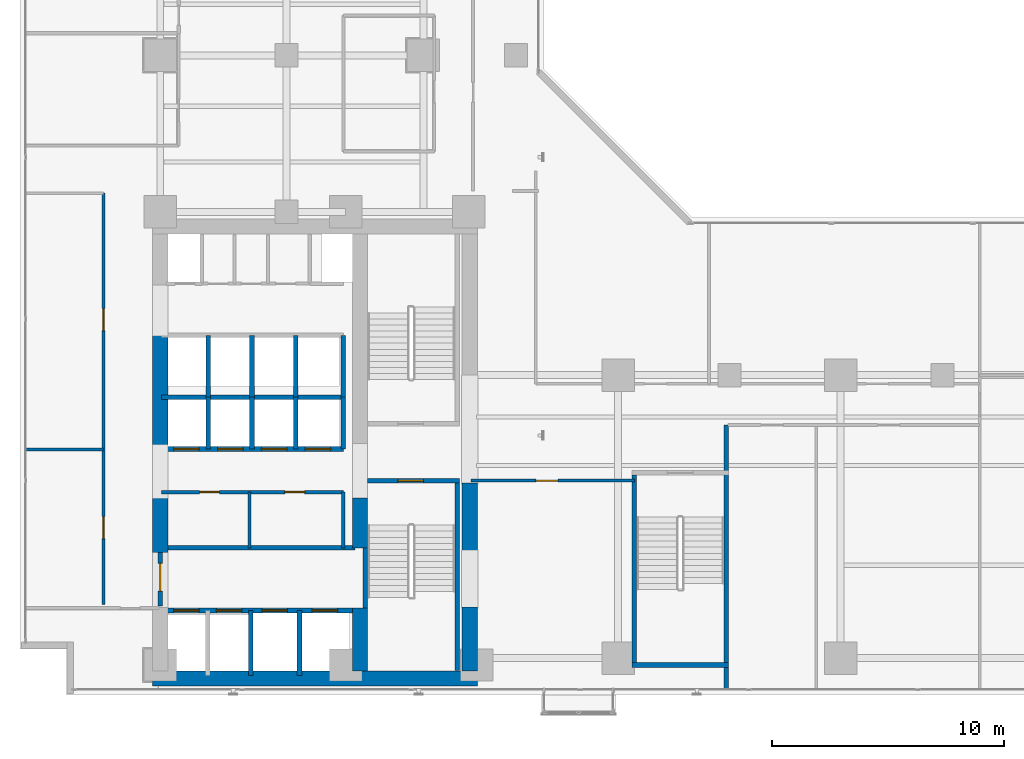
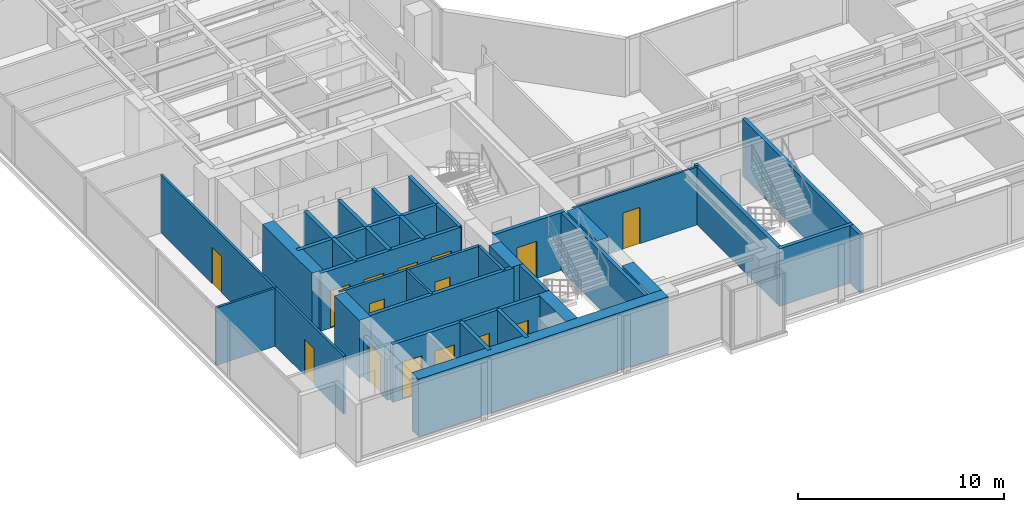
# One storey, part 19 of 25: 34 walls, 15 doors, 15 openings.
"""IFC4 building model written with IfcOpenShell, lengths in metres."""

from ifc_helpers import new_model, si_unit, direction, frame, frame_2d, origin, place, context, subcontext, project, spatial, rectangle, extrude, material, layer, layer_set, type_object, element, fill, save


model = new_model("IFC4")

# Units and contexts
model_context = context("Model", 3, precision=1e-05, world=origin(), true_north=direction((0.0, 1.0)))
body_context = subcontext(model_context, "Body", "Model", "MODEL_VIEW")
ifc_project = project(units=[si_unit("LENGTHUNIT", "METRE"), si_unit("AREAUNIT", "SQUARE_METRE"), si_unit("VOLUMEUNIT", "CUBIC_METRE"), si_unit("PLANEANGLEUNIT", "RADIAN"), si_unit("MASSUNIT", "GRAM", prefix="KILO")], contexts=[model_context])

# Site, building, storey
site_placement = place(None, origin())
site = spatial("IfcSite", under=ifc_project, at=site_placement, CompositionType="ELEMENT")
building_placement = place(site_placement, origin())
building = spatial("IfcBuilding", under=site, at=building_placement, Name="Kolvaren Waterfront Exchange", CompositionType="ELEMENT")
storey_placement = place(building_placement, frame((0.0, 0.0, 137.300048828125)))
storey = spatial("IfcBuildingStorey", under=building, at=storey_placement, Name="L35", CompositionType="ELEMENT", Elevation=137.300048828125)

# Wall, opening, door
ifc_material_1 = material(Name="Precast concrete C40/50", Category="concrete")
ifc_layer_1 = layer(ifc_material_1, 0.199951171875, Name="Precast concrete C40/50")
ifc_layer_set_1 = layer_set([ifc_layer_1], Name="Precast concrete C40/50")
wall_type_1 = type_object("IfcWallType", Name="ARC-FIRE-200", PredefinedType="PARTITIONING", material=ifc_layer_set_1)
wall_1_placement = place(storey_placement, frame((16.39990234375, 12.85009765625, 0.0), z_axis=(0.0, 0.0, 1.0), x_axis=(1.0, 0.0, 0.0)))
wall_1 = element("IfcWall", 1, at=wall_1_placement, inside=storey, type_object=wall_type_1, Name="L35 interior wall PW-L35-ST1-THROAT-S", PredefinedType="PARTITIONING", context=body_context, shape_type="SweptSolid", body=[
    extrude(rectangle(XDim=3.960205078125, YDim=0.199951171875, at=frame_2d((1.97998046875, 0.0))), origin(), (0.0, 0.0, 1.0), 3.419921875),
])
opening_1_placement = place(wall_1_placement, frame((1.3037109375, 0.0, 0.0)))
opening_1 = element("IfcOpeningElement", 2, at=opening_1_placement, cuts=wall_1, Name="Opening FD2", PredefinedType="OPENING", context=body_context, shape_type="SweptSolid", body=[
    extrude(rectangle(XDim=1.10009765625, YDim=2.199951171875, at=frame_2d((0.550048828125, 1.10009765625))), frame((0.0, 0.10986328125, 0.0), z_axis=(0.0, -1.0, 0.0), x_axis=(1.0, 0.0, 0.0)), (0.0, 0.0, 1.0), 0.219970703125),
])
ifc_material_2 = material(Name="Pressed steel smoke-seal fire door", Category="steel")
door_type_1 = type_object("IfcDoorType", Name="ARC-FD-1100", OperationType="NOTDEFINED", PredefinedType="DOOR", material=ifc_material_2)
door_1_placement = place(opening_1_placement, frame((1.10009765625, 0.0, 0.0), z_axis=(0.0, 0.0, 1.0), x_axis=(-1.0, 0.0, 0.0)))
door_1 = element("IfcDoor", 3, at=door_1_placement, inside=storey, type_object=door_type_1, Name="L35 door DR-L35-ST1-IN (FD2)", OperationType="SINGLE_SWING_LEFT", OverallHeight=2.199951171875, OverallWidth=1.10009765625, PredefinedType="DOOR", context=body_context, shape_type="SweptSolid", body=[
    extrude(rectangle(XDim=1.10009765625, YDim=2.199951171875, at=frame_2d((0.550048828125, 1.10009765625))), frame((0.0, 0.02490234375, 0.0), z_axis=(0.0, -1.0, 0.0), x_axis=(1.0, 0.0, 0.0)), (0.0, 0.0, 1.0), 0.050048828125),
])
fill(opening_1, door_1)

# Wall
wall_2_placement = place(storey_placement, frame((7.5, 9.949951171875, 0.0), z_axis=(0.0, 0.0, 1.0), x_axis=(1.0, 0.0, 0.0)))
element("IfcWall", 4, at=wall_2_placement, inside=storey, type_object=wall_type_1, Name="L35 interior wall PW-L35-FF-N", PredefinedType="PARTITIONING", context=body_context, shape_type="SweptSolid", body=[
    extrude(rectangle(XDim=8.35009765625, YDim=0.199951171875, at=frame_2d((4.175048828125, 0.0))), origin(), (0.0, 0.0, 1.0), 3.419921875),
])

# Wall, opening, door
wall_3_placement = place(storey_placement, frame((7.449951171875, 7.449951171875, 0.0), z_axis=(0.0, 0.0, 1.0), x_axis=(0.0, 1.0, 0.0)))
wall_3 = element("IfcWall", 5, at=wall_3_placement, inside=storey, type_object=wall_type_1, Name="L35 interior wall PW-L35-FF-W-DOOR", PredefinedType="PARTITIONING", context=body_context, shape_type="SweptSolid", body=[
    extrude(rectangle(XDim=2.300048828125, YDim=0.199951171875, at=frame_2d((1.14990234375, 0.0))), origin(), (0.0, 0.0, 1.0), 2.39990234375),
])
opening_2_placement = place(wall_3_placement, frame((0.63330078125, 0.0, 0.0)))
opening_2 = element("IfcOpeningElement", 6, at=opening_2_placement, cuts=wall_3, Name="Opening FD3", PredefinedType="OPENING", context=body_context, shape_type="SweptSolid", body=[
    extrude(rectangle(XDim=1.199951171875, YDim=2.25, at=frame_2d((0.60009765625, 1.125))), frame((0.0, 0.10986328125, 0.0), z_axis=(0.0, -1.0, 0.0), x_axis=(1.0, 0.0, 0.0)), (0.0, 0.0, 1.0), 0.219970703125),
])
ifc_material_3 = material(Name="Pressed steel fire door", Category="steel")
door_type_2 = type_object("IfcDoorType", Name="ARC-FD-1200", OperationType="NOTDEFINED", PredefinedType="DOOR", material=ifc_material_3)
door_2_placement = place(opening_2_placement, frame((1.199951171875, 0.0, 0.0), z_axis=(0.0, 0.0, 1.0), x_axis=(-1.0, 0.0, 0.0)))
door_2 = element("IfcDoor", 7, at=door_2_placement, inside=storey, type_object=door_type_2, Name="L35 door DR-L35-FF-OUT (FD3)", OperationType="SINGLE_SWING_RIGHT", OverallHeight=2.25, OverallWidth=1.199951171875, PredefinedType="DOOR", context=body_context, shape_type="SweptSolid", body=[
    extrude(rectangle(XDim=1.199951171875, YDim=2.25, at=frame_2d((0.60009765625, 1.125))), frame((0.0, 0.02490234375, 0.0), z_axis=(0.0, -1.0, 0.0), x_axis=(1.0, 0.0, 0.0)), (0.0, 0.0, 1.0), 0.050048828125),
])
fill(opening_2, door_2)

# Wall
ifc_material_4 = material(Name="Acoustic gypsum steel stud", Category="steel")
ifc_layer_2 = layer(ifc_material_4, 0.125, Name="Acoustic gypsum steel stud")
ifc_layer_set_2 = layer_set([ifc_layer_2], Name="Acoustic gypsum steel stud")
wall_type_2 = type_object("IfcWallType", Name="ARC-PART-125", PredefinedType="PARTITIONING", material=ifc_layer_set_2)
wall_4_placement = place(storey_placement, frame((11.300048828125, 9.949951171875, 0.0), z_axis=(0.0, 0.0, 1.0), x_axis=(0.0, 1.0, 0.0)))
element("IfcWall", 8, at=wall_4_placement, inside=storey, type_object=wall_type_2, Name="L35 interior wall PW-L35-REC-PL-MID", PredefinedType="PARTITIONING", context=body_context, shape_type="SweptSolid", body=[
    extrude(rectangle(XDim=2.41015625, YDim=0.125, at=frame_2d((1.205078125, 0.0))), origin(), (0.0, 0.0, 1.0), 3.419921875),
])

# Wall, openings, doors
wall_5_placement = place(storey_placement, frame((5.0, 7.5, 0.0), z_axis=(0.0, 0.0, 1.0), x_axis=(0.0, 1.0, 0.0)))
wall_5 = element("IfcWall", 9, at=wall_5_placement, inside=storey, type_object=wall_type_2, Name="L35 interior wall PW-L35-WFLANK-E", PredefinedType="PARTITIONING", context=body_context, shape_type="SweptSolid", body=[
    extrude(rectangle(XDim=17.75, YDim=0.125, at=frame_2d((8.875, 0.0))), origin(), (0.0, 0.0, 1.0), 3.419921875),
])
opening_3_placement = place(wall_5_placement, frame((2.85009765625, 0.0, 0.0)))
opening_3 = element("IfcOpeningElement", 10, at=opening_3_placement, cuts=wall_5, Name="Opening D02", PredefinedType="OPENING", context=body_context, shape_type="SweptSolid", body=[
    extrude(rectangle(XDim=0.949951171875, YDim=2.14990234375, at=frame_2d((0.47509765625, 1.074951171875))), frame((0.0, 0.072509765625, 0.0), z_axis=(0.0, -1.0, 0.0), x_axis=(1.0, 0.0, 0.0)), (0.0, 0.0, 1.0), 0.14501953125),
])
opening_4_placement = place(wall_5_placement, frame((11.82080078125, 0.0, 0.0)))
opening_4 = element("IfcOpeningElement", 11, at=opening_4_placement, cuts=wall_5, Name="Opening D02", PredefinedType="OPENING", context=body_context, shape_type="SweptSolid", body=[
    extrude(rectangle(XDim=0.949951171875, YDim=2.14990234375, at=frame_2d((0.47509765625, 1.074951171875))), frame((0.0, 0.072509765625, 0.0), z_axis=(0.0, -1.0, 0.0), x_axis=(1.0, 0.0, 0.0)), (0.0, 0.0, 1.0), 0.14501953125),
])
ifc_material_5 = material(Name="Oak veneer acoustic timber", Category="wood")
door_type_3 = type_object("IfcDoorType", Name="ARC-DR-950", OperationType="NOTDEFINED", PredefinedType="DOOR", material=ifc_material_5)
door_3_placement = place(opening_3_placement, origin())
door_3 = element("IfcDoor", 12, at=door_3_placement, inside=storey, type_object=door_type_3, Name="L35 door DR-L35-WFL1-D (D02)", OperationType="SINGLE_SWING_LEFT", OverallHeight=2.14990234375, OverallWidth=0.949951171875, PredefinedType="DOOR", context=body_context, shape_type="SweptSolid", body=[
    extrude(rectangle(XDim=0.949951171875, YDim=2.14990234375, at=frame_2d((0.47509765625, 1.074951171875))), frame((0.0, 0.02490234375, 0.0), z_axis=(0.0, -1.0, 0.0), x_axis=(1.0, 0.0, 0.0)), (0.0, 0.0, 1.0), 0.050048828125),
])
fill(opening_3, door_3)
door_4_placement = place(opening_4_placement, origin())
door_4 = element("IfcDoor", 13, at=door_4_placement, inside=storey, type_object=door_type_3, Name="L35 door DR-L35-WFL2-D (D02)", OperationType="SINGLE_SWING_RIGHT", OverallHeight=2.14990234375, OverallWidth=0.949951171875, PredefinedType="DOOR", context=body_context, shape_type="SweptSolid", body=[
    extrude(rectangle(XDim=0.949951171875, YDim=2.14990234375, at=frame_2d((0.47509765625, 1.074951171875))), frame((0.0, 0.02490234375, 0.0), z_axis=(0.0, -1.0, 0.0), x_axis=(1.0, 0.0, 0.0)), (0.0, 0.0, 1.0), 0.050048828125),
])
fill(opening_4, door_4)

# Wall
wall_6_placement = place(storey_placement, frame((1.639892578125, 14.199951171875, 0.0), z_axis=(0.0, 0.0, 1.0), x_axis=(1.0, 0.0, 0.0)))
element("IfcWall", 14, at=wall_6_placement, inside=storey, type_object=wall_type_2, Name="L35 interior wall PW-L35-WFLANK-MID", PredefinedType="PARTITIONING", context=body_context, shape_type="SweptSolid", body=[
    extrude(rectangle(XDim=3.360107421875, YDim=0.125, at=frame_2d((1.68017578125, 0.0))), origin(), (0.0, 0.0, 1.0), 3.419921875),
])

# Wall, opening, door
wall_7_placement = place(storey_placement, frame((20.85009765625, 12.85009765625, 0.0), z_axis=(0.0, 0.0, 1.0), x_axis=(1.0, 0.0, 0.0)))
wall_7 = element("IfcWall", 15, at=wall_7_placement, inside=storey, type_object=wall_type_2, Name="L35 interior wall PW-L35-SWST3-N", PredefinedType="PARTITIONING", context=body_context, shape_type="SweptSolid", body=[
    extrude(rectangle(XDim=7.0498046875, YDim=0.125, at=frame_2d((3.52490234375, 0.0))), origin(), (0.0, 0.0, 1.0), 3.419921875),
])
opening_5_placement = place(wall_7_placement, frame((2.800048828125, 0.0, 0.0)))
opening_5 = element("IfcOpeningElement", 16, at=opening_5_placement, cuts=wall_7, Name="Opening D02", PredefinedType="OPENING", context=body_context, shape_type="SweptSolid", body=[
    extrude(rectangle(XDim=0.949951171875, YDim=2.14990234375, at=frame_2d((0.47509765625, 1.074951171875))), frame((0.0, 0.072509765625, 0.0), z_axis=(0.0, -1.0, 0.0), x_axis=(1.0, 0.0, 0.0)), (0.0, 0.0, 1.0), 0.14501953125),
])
door_5_placement = place(opening_5_placement, origin())
door_5 = element("IfcDoor", 17, at=door_5_placement, inside=storey, type_object=door_type_3, Name="L35 door DR-L35-SWST3-D (D02)", OperationType="SINGLE_SWING_LEFT", OverallHeight=2.14990234375, OverallWidth=0.949951171875, PredefinedType="DOOR", context=body_context, shape_type="SweptSolid", body=[
    extrude(rectangle(XDim=0.949951171875, YDim=2.14990234375, at=frame_2d((0.47509765625, 1.074951171875))), frame((0.0, 0.02490234375, 0.0), z_axis=(0.0, -1.0, 0.0), x_axis=(1.0, 0.0, 0.0)), (0.0, 0.0, 1.0), 0.050048828125),
])
fill(opening_5, door_5)

# Wall, openings, doors
ifc_material_6 = material(Name="Gypsum fireboard steel stud", Category="steel")
ifc_layer_3 = layer(ifc_material_6, 0.14990234375, Name="Gypsum fireboard steel stud")
ifc_layer_set_3 = layer_set([ifc_layer_3], Name="Gypsum fireboard steel stud")
wall_type_3 = type_object("IfcWallType", Name="ARC-PART-150", PredefinedType="PARTITIONING", material=ifc_layer_set_3)
wall_8_placement = place(storey_placement, frame((7.5, 12.360107421875, 0.0), z_axis=(0.0, 0.0, 1.0), x_axis=(1.0, 0.0, 0.0)))
wall_8 = element("IfcWall", 18, at=wall_8_placement, inside=storey, type_object=wall_type_3, Name="L35 interior wall PW-L35-REC-PL-N", PredefinedType="PARTITIONING", context=body_context, shape_type="SweptSolid", body=[
    extrude(rectangle(XDim=7.85009765625, YDim=0.14990234375, at=frame_2d((3.925048828125, 0.0))), origin(), (0.0, 0.0, 1.0), 3.419921875),
])
opening_6_placement = place(wall_8_placement, frame((1.64990234375, 0.0, 0.0)))
opening_6 = element("IfcOpeningElement", 19, at=opening_6_placement, cuts=wall_8, Name="Opening D01", PredefinedType="OPENING", context=body_context, shape_type="SweptSolid", body=[
    extrude(rectangle(XDim=0.85009765625, YDim=2.14990234375, at=frame_2d((0.425048828125, 1.074951171875))), frame((0.0, 0.0849609375, 0.0), z_axis=(0.0, -1.0, 0.0), x_axis=(1.0, 0.0, 0.0)), (0.0, 0.0, 1.0), 0.169921875),
])
opening_7_placement = place(wall_8_placement, frame((5.329345703125, 0.0, 0.0)))
opening_7 = element("IfcOpeningElement", 20, at=opening_7_placement, cuts=wall_8, Name="Opening D01", PredefinedType="OPENING", context=body_context, shape_type="SweptSolid", body=[
    extrude(rectangle(XDim=0.85009765625, YDim=2.14990234375, at=frame_2d((0.425048828125, 1.074951171875))), frame((0.0, 0.0849609375, 0.0), z_axis=(0.0, -1.0, 0.0), x_axis=(1.0, 0.0, 0.0)), (0.0, 0.0, 1.0), 0.169921875),
])
ifc_material_7 = material(Name="Oak veneer timber leaf", Category="wood")
door_type_4 = type_object("IfcDoorType", Name="ARC-DR-900", OperationType="NOTDEFINED", PredefinedType="DOOR", material=ifc_material_7)
door_6_placement = place(opening_6_placement, origin())
door_6 = element("IfcDoor", 21, at=door_6_placement, inside=storey, type_object=door_type_4, Name="L35 door DR-L35-REC-PL-D1 (D01)", OperationType="SINGLE_SWING_LEFT", OverallHeight=2.14990234375, OverallWidth=0.85009765625, PredefinedType="DOOR", context=body_context, shape_type="SweptSolid", body=[
    extrude(rectangle(XDim=0.85009765625, YDim=2.14990234375, at=frame_2d((0.425048828125, 1.074951171875))), frame((0.0, 0.02490234375, 0.0), z_axis=(0.0, -1.0, 0.0), x_axis=(1.0, 0.0, 0.0)), (0.0, 0.0, 1.0), 0.050048828125),
])
fill(opening_6, door_6)
door_7_placement = place(opening_7_placement, origin())
door_7 = element("IfcDoor", 22, at=door_7_placement, inside=storey, type_object=door_type_4, Name="L35 door DR-L35-REC-PL-D2 (D01)", OperationType="SINGLE_SWING_RIGHT", OverallHeight=2.14990234375, OverallWidth=0.85009765625, PredefinedType="DOOR", context=body_context, shape_type="SweptSolid", body=[
    extrude(rectangle(XDim=0.85009765625, YDim=2.14990234375, at=frame_2d((0.425048828125, 1.074951171875))), frame((0.0, 0.02490234375, 0.0), z_axis=(0.0, -1.0, 0.0), x_axis=(1.0, 0.0, 0.0)), (0.0, 0.0, 1.0), 0.050048828125),
])
fill(opening_7, door_7)

# Walls
wall_9_placement = place(storey_placement, frame((15.35009765625, 9.949951171875, 0.0), z_axis=(0.0, 0.0, 1.0), x_axis=(0.0, 1.0, 0.0)))
element("IfcWall", 23, at=wall_9_placement, inside=storey, type_object=wall_type_3, Name="L35 interior wall PW-L35-REC-PL-E", PredefinedType="PARTITIONING", context=body_context, shape_type="SweptSolid", body=[
    extrude(rectangle(XDim=2.41015625, YDim=0.14990234375, at=frame_2d((1.205078125, 0.0))), origin(), (0.0, 0.0, 1.0), 3.419921875),
])
ifc_material_8 = material(Name="Concrete C40/50", Category="concrete")
ifc_layer_4 = layer(ifc_material_8, 0.199951171875, Name="Concrete C40/50")
ifc_layer_set_4 = layer_set([ifc_layer_4], Name="Concrete C40/50")
wall_type_4 = type_object("IfcWallType", Name="ARC-SHAFT-200", PredefinedType="PARTITIONING", material=ifc_layer_set_4)
wall_10_placement = place(storey_placement, frame((16.300048828125, 7.360107421875, 0.0), z_axis=(0.0, 0.0, 1.0), x_axis=(0.0, 1.0, 0.0)))
element("IfcWall", 24, at=wall_10_placement, inside=storey, type_object=wall_type_4, Name="L35 structural stairwell wall PW-L35-ST1-W", PredefinedType="SHEAR", context=body_context, shape_type="SweptSolid", body=[
    extrude(rectangle(XDim=2.579833984375, YDim=0.199951171875, at=frame_2d((1.2900390625, 0.0))), origin(), (0.0, 0.0, 1.0), 3.419921875),
])
wall_11_placement = place(storey_placement, frame((20.260009765625, 4.659912109375, 0.0), z_axis=(0.0, 0.0, 1.0), x_axis=(0.0, 1.0, 0.0)))
element("IfcWall", 25, at=wall_11_placement, inside=storey, type_object=wall_type_4, Name="L35 structural stairwell wall PW-L35-ST1-E", PredefinedType="SHEAR", context=body_context, shape_type="SweptSolid", body=[
    extrude(rectangle(XDim=8.090087890625, YDim=0.199951171875, at=frame_2d((4.044921875, 0.0))), origin(), (0.0, 0.0, 1.0), 3.419921875),
])
wall_12_placement = place(storey_placement, frame((27.89990234375, 5.0, 0.0), z_axis=(0.0, 0.0, 1.0), x_axis=(0.0, 1.0, 0.0)))
element("IfcWall", 26, at=wall_12_placement, inside=storey, type_object=wall_type_4, Name="L35 structural stairwell wall PW-L35-ST3-W", PredefinedType="SHEAR", context=body_context, shape_type="SweptSolid", body=[
    extrude(rectangle(XDim=8.10009765625, YDim=0.199951171875, at=frame_2d((4.050048828125, 0.0))), origin(), (0.0, 0.0, 1.0), 3.419921875),
])
wall_13_placement = place(storey_placement, frame((31.860107421875, 3.840087890625, 0.0), z_axis=(0.0, 0.0, 1.0), x_axis=(0.0, 1.0, 0.0)))
element("IfcWall", 27, at=wall_13_placement, inside=storey, type_object=wall_type_4, Name="L35 structural stairwell wall PW-L35-ST3-E", PredefinedType="SHEAR", context=body_context, shape_type="SweptSolid", body=[
    extrude(rectangle(XDim=11.409912109375, YDim=0.199951171875, at=frame_2d((5.705078125, 0.0))), origin(), (0.0, 0.0, 1.0), 3.419921875),
])
wall_14_placement = place(storey_placement, frame((27.800048828125, 4.89990234375, 0.0), z_axis=(0.0, 0.0, 1.0), x_axis=(1.0, 0.0, 0.0)))
element("IfcWall", 28, at=wall_14_placement, inside=storey, type_object=wall_type_4, Name="L35 structural stairwell wall PW-L35-ST3-S", PredefinedType="SHEAR", context=body_context, shape_type="SweptSolid", body=[
    extrude(rectangle(XDim=4.159912109375, YDim=0.199951171875, at=frame_2d((2.080078125, 0.0))), origin(), (0.0, 0.0, 1.0), 3.419921875),
])

# Wall, openings, doors
wall_15_placement = place(storey_placement, frame((7.5, 7.25, 0.0), z_axis=(0.0, 0.0, 1.0), x_axis=(1.0, 0.0, 0.0)))
wall_15 = element("IfcWall", 29, at=wall_15_placement, inside=storey, type_object=wall_type_4, Name="L35 interior wall PW-L35-FF-S", PredefinedType="PARTITIONING", context=body_context, shape_type="SweptSolid", body=[
    extrude(rectangle(XDim=8.35009765625, YDim=0.199951171875, at=frame_2d((4.175048828125, 0.0))), origin(), (0.0, 0.0, 1.0), 3.419921875),
])
opening_8_placement = place(wall_15_placement, frame((0.530029296875, 0.0, 0.0)))
opening_8 = element("IfcOpeningElement", 30, at=opening_8_placement, cuts=wall_15, Name="Opening LD1", PredefinedType="OPENING", context=body_context, shape_type="SweptSolid", body=[
    extrude(rectangle(XDim=1.10009765625, YDim=2.199951171875, at=frame_2d((0.550048828125, 1.10009765625))), frame((0.0, 0.10986328125, 0.0), z_axis=(0.0, -1.0, 0.0), x_axis=(1.0, 0.0, 0.0)), (0.0, 0.0, 1.0), 0.219970703125),
])
opening_9_placement = place(wall_15_placement, frame((2.3701171875, 0.0, 0.0)))
opening_9 = element("IfcOpeningElement", 31, at=opening_9_placement, cuts=wall_15, Name="Opening LD1", PredefinedType="OPENING", context=body_context, shape_type="SweptSolid", body=[
    extrude(rectangle(XDim=1.10009765625, YDim=2.199951171875, at=frame_2d((0.550048828125, 1.10009765625))), frame((0.0, 0.10986328125, 0.0), z_axis=(0.0, -1.0, 0.0), x_axis=(1.0, 0.0, 0.0)), (0.0, 0.0, 1.0), 0.219970703125),
])
opening_10_placement = place(wall_15_placement, frame((4.330078125, 0.0, 0.0)))
opening_10 = element("IfcOpeningElement", 32, at=opening_10_placement, cuts=wall_15, Name="Opening LD1", PredefinedType="OPENING", context=body_context, shape_type="SweptSolid", body=[
    extrude(rectangle(XDim=1.10009765625, YDim=2.199951171875, at=frame_2d((0.550048828125, 1.10009765625))), frame((0.0, 0.10986328125, 0.0), z_axis=(0.0, -1.0, 0.0), x_axis=(1.0, 0.0, 0.0)), (0.0, 0.0, 1.0), 0.219970703125),
])
opening_11_placement = place(wall_15_placement, frame((6.5, 0.0, 0.0)))
opening_11 = element("IfcOpeningElement", 33, at=opening_11_placement, cuts=wall_15, Name="Opening LD1", PredefinedType="OPENING", context=body_context, shape_type="SweptSolid", body=[
    extrude(rectangle(XDim=1.10009765625, YDim=2.199951171875, at=frame_2d((0.550048828125, 1.10009765625))), frame((0.0, 0.10986328125, 0.0), z_axis=(0.0, -1.0, 0.0), x_axis=(1.0, 0.0, 0.0)), (0.0, 0.0, 1.0), 0.219970703125),
])
ifc_material_9 = material(Name="Stainless steel sliding landing door", Category="steel")
door_type_5 = type_object("IfcDoorType", Name="ARC-LD-FF", OperationType="SLIDING_TO_LEFT", PredefinedType="DOOR", material=ifc_material_9)
door_8_placement = place(opening_8_placement, origin())
door_8 = element("IfcDoor", 34, at=door_8_placement, inside=storey, type_object=door_type_5, Name="L35 door LD-L35-FFL1 (LD1)", OperationType="SLIDING_TO_LEFT", OverallHeight=2.199951171875, OverallWidth=1.10009765625, PredefinedType="DOOR", context=body_context, shape_type="SweptSolid", body=[
    extrude(rectangle(XDim=1.10009765625, YDim=2.199951171875, at=frame_2d((0.550048828125, 1.10009765625))), frame((0.0, 0.02490234375, 0.0), z_axis=(0.0, -1.0, 0.0), x_axis=(1.0, 0.0, 0.0)), (0.0, 0.0, 1.0), 0.050048828125),
])
fill(opening_8, door_8)
door_9_placement = place(opening_9_placement, origin())
door_9 = element("IfcDoor", 35, at=door_9_placement, inside=storey, type_object=door_type_5, Name="L35 door LD-L35-FFL2 (LD1)", OperationType="SLIDING_TO_LEFT", OverallHeight=2.199951171875, OverallWidth=1.10009765625, PredefinedType="DOOR", context=body_context, shape_type="SweptSolid", body=[
    extrude(rectangle(XDim=1.10009765625, YDim=2.199951171875, at=frame_2d((0.550048828125, 1.10009765625))), frame((0.0, 0.02490234375, 0.0), z_axis=(0.0, -1.0, 0.0), x_axis=(1.0, 0.0, 0.0)), (0.0, 0.0, 1.0), 0.050048828125),
])
fill(opening_9, door_9)
door_10_placement = place(opening_10_placement, origin())
door_10 = element("IfcDoor", 36, at=door_10_placement, inside=storey, type_object=door_type_5, Name="L35 door LD-L35-GL1 (LD1)", OperationType="SLIDING_TO_LEFT", OverallHeight=2.199951171875, OverallWidth=1.10009765625, PredefinedType="DOOR", context=body_context, shape_type="SweptSolid", body=[
    extrude(rectangle(XDim=1.10009765625, YDim=2.199951171875, at=frame_2d((0.550048828125, 1.10009765625))), frame((0.0, 0.02490234375, 0.0), z_axis=(0.0, -1.0, 0.0), x_axis=(1.0, 0.0, 0.0)), (0.0, 0.0, 1.0), 0.050048828125),
])
fill(opening_10, door_10)
door_11_placement = place(opening_11_placement, origin())
door_11 = element("IfcDoor", 37, at=door_11_placement, inside=storey, type_object=door_type_5, Name="L35 door LD-L35-GL2 (LD1)", OperationType="SLIDING_TO_LEFT", OverallHeight=2.199951171875, OverallWidth=1.10009765625, PredefinedType="DOOR", context=body_context, shape_type="SweptSolid", body=[
    extrude(rectangle(XDim=1.10009765625, YDim=2.199951171875, at=frame_2d((0.550048828125, 1.10009765625))), frame((0.0, 0.02490234375, 0.0), z_axis=(0.0, -1.0, 0.0), x_axis=(1.0, 0.0, 0.0)), (0.0, 0.0, 1.0), 0.050048828125),
])
fill(opening_11, door_11)

# Walls
for number, where, z_axis, x_axis, name in (
    (38, (11.360107421875, 4.449951171875, 0.0), (0.0, 0.0, 1.0), (0.0, 1.0, 0.0), "L35 interior wall PW-L35-SH1-DIV-113"),
    (39, (13.4599609375, 4.449951171875, 0.0), (0.0, 0.0, 1.0), (0.0, 1.0, 0.0), "L35 interior wall PW-L35-SH1-DIV-134"),
):
    element("IfcWall", number, at=place(storey_placement, frame(where, z_axis=z_axis, x_axis=x_axis)), inside=storey, type_object=wall_type_4, Name=name, PredefinedType="PARTITIONING", context=body_context, shape_type="SweptSolid", body=[
        extrude(rectangle(XDim=2.800048828125, YDim=0.199951171875, at=frame_2d((1.39990234375, 0.0))), origin(), (0.0, 0.0, 1.0), 3.419921875),
    ])

# Wall, openings, doors
wall_16_placement = place(storey_placement, frame((7.5, 14.219970703125, 0.0), z_axis=(0.0, 0.0, 1.0), x_axis=(1.0, 0.0, 0.0)))
wall_16 = element("IfcWall", 40, at=wall_16_placement, inside=storey, type_object=wall_type_4, Name="L35 interior wall PW-L35-PM-S", PredefinedType="PARTITIONING", context=body_context, shape_type="SweptSolid", body=[
    extrude(rectangle(XDim=7.85009765625, YDim=0.199951171875, at=frame_2d((3.925048828125, 0.0))), origin(), (0.0, 0.0, 1.0), 3.419921875),
])
opening_12_placement = place(wall_16_placement, frame((0.530029296875, 0.0, 0.0)))
opening_12 = element("IfcOpeningElement", 41, at=opening_12_placement, cuts=wall_16, Name="Opening LD2", PredefinedType="OPENING", context=body_context, shape_type="SweptSolid", body=[
    extrude(rectangle(XDim=1.10009765625, YDim=2.199951171875, at=frame_2d((0.550048828125, 1.10009765625))), frame((0.0, 0.10986328125, 0.0), z_axis=(0.0, -1.0, 0.0), x_axis=(1.0, 0.0, 0.0)), (0.0, 0.0, 1.0), 0.219970703125),
])
opening_13_placement = place(wall_16_placement, frame((2.419921875, 0.0, 0.0)))
opening_13 = element("IfcOpeningElement", 42, at=opening_13_placement, cuts=wall_16, Name="Opening LD2", PredefinedType="OPENING", context=body_context, shape_type="SweptSolid", body=[
    extrude(rectangle(XDim=1.10009765625, YDim=2.199951171875, at=frame_2d((0.550048828125, 1.10009765625))), frame((0.0, 0.10986328125, 0.0), z_axis=(0.0, -1.0, 0.0), x_axis=(1.0, 0.0, 0.0)), (0.0, 0.0, 1.0), 0.219970703125),
])
opening_14_placement = place(wall_16_placement, frame((4.31005859375, 0.0, 0.0)))
opening_14 = element("IfcOpeningElement", 43, at=opening_14_placement, cuts=wall_16, Name="Opening LD2", PredefinedType="OPENING", context=body_context, shape_type="SweptSolid", body=[
    extrude(rectangle(XDim=1.10009765625, YDim=2.199951171875, at=frame_2d((0.550048828125, 1.10009765625))), frame((0.0, 0.10986328125, 0.0), z_axis=(0.0, -1.0, 0.0), x_axis=(1.0, 0.0, 0.0)), (0.0, 0.0, 1.0), 0.219970703125),
])
opening_15_placement = place(wall_16_placement, frame((6.199951171875, 0.0, 0.0)))
opening_15 = element("IfcOpeningElement", 44, at=opening_15_placement, cuts=wall_16, Name="Opening LD2", PredefinedType="OPENING", context=body_context, shape_type="SweptSolid", body=[
    extrude(rectangle(XDim=1.10009765625, YDim=2.199951171875, at=frame_2d((0.550048828125, 1.10009765625))), frame((0.0, 0.10986328125, 0.0), z_axis=(0.0, -1.0, 0.0), x_axis=(1.0, 0.0, 0.0)), (0.0, 0.0, 1.0), 0.219970703125),
])
ifc_material_10 = material(Name="Brushed bronze sliding landing door", Category="aluminium")
door_type_6 = type_object("IfcDoorType", Name="ARC-LD-PAX", OperationType="SLIDING_TO_LEFT", PredefinedType="DOOR", material=ifc_material_10)
door_12_placement = place(opening_12_placement, frame((1.10009765625, 0.0, 0.0), z_axis=(0.0, 0.0, 1.0), x_axis=(-1.0, 0.0, 0.0)))
door_12 = element("IfcDoor", 45, at=door_12_placement, inside=storey, type_object=door_type_6, Name="L35 door LD-L35-PM1 (LD2)", OperationType="SLIDING_TO_LEFT", OverallHeight=2.199951171875, OverallWidth=1.10009765625, PredefinedType="DOOR", context=body_context, shape_type="SweptSolid", body=[
    extrude(rectangle(XDim=1.10009765625, YDim=2.199951171875, at=frame_2d((0.550048828125, 1.10009765625))), frame((0.0, 0.02490234375, 0.0), z_axis=(0.0, -1.0, 0.0), x_axis=(1.0, 0.0, 0.0)), (0.0, 0.0, 1.0), 0.050048828125),
])
fill(opening_12, door_12)
door_13_placement = place(opening_13_placement, frame((1.10009765625, 0.0, 0.0), z_axis=(0.0, 0.0, 1.0), x_axis=(-1.0, 0.0, 0.0)))
door_13 = element("IfcDoor", 46, at=door_13_placement, inside=storey, type_object=door_type_6, Name="L35 door LD-L35-PM2 (LD2)", OperationType="SLIDING_TO_LEFT", OverallHeight=2.199951171875, OverallWidth=1.10009765625, PredefinedType="DOOR", context=body_context, shape_type="SweptSolid", body=[
    extrude(rectangle(XDim=1.10009765625, YDim=2.199951171875, at=frame_2d((0.550048828125, 1.10009765625))), frame((0.0, 0.02490234375, 0.0), z_axis=(0.0, -1.0, 0.0), x_axis=(1.0, 0.0, 0.0)), (0.0, 0.0, 1.0), 0.050048828125),
])
fill(opening_13, door_13)
door_14_placement = place(opening_14_placement, frame((1.10009765625, 0.0, 0.0), z_axis=(0.0, 0.0, 1.0), x_axis=(-1.0, 0.0, 0.0)))
door_14 = element("IfcDoor", 47, at=door_14_placement, inside=storey, type_object=door_type_6, Name="L35 door LD-L35-PM3 (LD2)", OperationType="SLIDING_TO_LEFT", OverallHeight=2.199951171875, OverallWidth=1.10009765625, PredefinedType="DOOR", context=body_context, shape_type="SweptSolid", body=[
    extrude(rectangle(XDim=1.10009765625, YDim=2.199951171875, at=frame_2d((0.550048828125, 1.10009765625))), frame((0.0, 0.02490234375, 0.0), z_axis=(0.0, -1.0, 0.0), x_axis=(1.0, 0.0, 0.0)), (0.0, 0.0, 1.0), 0.050048828125),
])
fill(opening_14, door_14)
door_15_placement = place(opening_15_placement, frame((1.10009765625, 0.0, 0.0), z_axis=(0.0, 0.0, 1.0), x_axis=(-1.0, 0.0, 0.0)))
door_15 = element("IfcDoor", 48, at=door_15_placement, inside=storey, type_object=door_type_6, Name="L35 door LD-L35-PM4 (LD2)", OperationType="SLIDING_TO_LEFT", OverallHeight=2.199951171875, OverallWidth=1.10009765625, PredefinedType="DOOR", context=body_context, shape_type="SweptSolid", body=[
    extrude(rectangle(XDim=1.10009765625, YDim=2.199951171875, at=frame_2d((0.550048828125, 1.10009765625))), frame((0.0, 0.02490234375, 0.0), z_axis=(0.0, -1.0, 0.0), x_axis=(1.0, 0.0, 0.0)), (0.0, 0.0, 1.0), 0.050048828125),
])
fill(opening_15, door_15)

# Walls
wall_17_placement = place(storey_placement, frame((7.5, 16.449951171875, 0.0), z_axis=(0.0, 0.0, 1.0), x_axis=(1.0, 0.0, 0.0)))
element("IfcWall", 49, at=wall_17_placement, inside=storey, type_object=wall_type_4, Name="L35 interior wall PW-L35-PM-N", PredefinedType="PARTITIONING", context=body_context, shape_type="SweptSolid", body=[
    extrude(rectangle(XDim=7.85009765625, YDim=0.199951171875, at=frame_2d((3.925048828125, 0.0))), origin(), (0.0, 0.0, 1.0), 3.419921875),
])
for number, where, z_axis, x_axis, name in (
    (50, (15.35009765625, 14.219970703125, 0.0), (0.0, 0.0, 1.0), (0.0, 1.0, 0.0), "L35 interior wall PW-L35-PM-E"),
    (51, (9.52001953125, 14.219970703125, 0.0), (0.0, 0.0, 1.0), (0.0, 1.0, 0.0), "L35 interior wall PW-L35-SH3-DIV-95"),
    (52, (11.409912109375, 14.219970703125, 0.0), (0.0, 0.0, 1.0), (0.0, 1.0, 0.0), "L35 interior wall PW-L35-SH3-DIV-114"),
    (53, (13.300048828125, 14.219970703125, 0.0), (0.0, 0.0, 1.0), (0.0, 1.0, 0.0), "L35 interior wall PW-L35-SH3-DIV-133"),
):
    element("IfcWall", number, at=place(storey_placement, frame(where, z_axis=z_axis, x_axis=x_axis)), inside=storey, type_object=wall_type_4, Name=name, PredefinedType="PARTITIONING", context=body_context, shape_type="SweptSolid", body=[
        extrude(rectangle(XDim=2.22998046875, YDim=0.199951171875, at=frame_2d((1.114990234375, 0.0))), origin(), (0.0, 0.0, 1.0), 3.419921875),
    ])
for number, where, z_axis, x_axis, name in (
    (54, (15.35009765625, 16.449951171875, 0.0), (0.0, 0.0, 1.0), (0.0, 1.0, 0.0), "L35 interior wall PW-L35-PH-E"),
    (55, (9.52001953125, 16.449951171875, 0.0), (0.0, 0.0, 1.0), (0.0, 1.0, 0.0), "L35 interior wall PW-L35-SH4-DIV-95"),
    (56, (11.409912109375, 16.449951171875, 0.0), (0.0, 0.0, 1.0), (0.0, 1.0, 0.0), "L35 interior wall PW-L35-SH4-DIV-114"),
    (57, (13.300048828125, 16.449951171875, 0.0), (0.0, 0.0, 1.0), (0.0, 1.0, 0.0), "L35 interior wall PW-L35-SH4-DIV-133"),
):
    element("IfcWall", number, at=place(storey_placement, frame(where, z_axis=z_axis, x_axis=x_axis)), inside=storey, type_object=wall_type_4, Name=name, PredefinedType="PARTITIONING", context=body_context, shape_type="SweptSolid", body=[
        extrude(rectangle(XDim=2.670166015625, YDim=0.199951171875, at=frame_2d((1.3349609375, 0.0))), origin(), (0.0, 0.0, 1.0), 3.419921875),
    ])
ifc_material_11 = material(Name="Concrete C60/75", Category="concrete")
ifc_layer_5 = layer(ifc_material_11, 0.64990234375, Name="Concrete C60/75")
ifc_layer_set_5 = layer_set([ifc_layer_5], Name="Concrete C60/75")
wall_type_5 = type_object("IfcWallType", Name="STR-CWALL-650", PredefinedType="SHEAR", material=ifc_layer_set_5)
wall_18_placement = place(storey_placement, frame((7.125, 4.324951171875, 0.0), z_axis=(0.0, 0.0, 1.0), x_axis=(1.0, 0.0, 0.0)))
element("IfcWall", 58, at=wall_18_placement, inside=storey, type_object=wall_type_5, Name="L35 rear-core shear wall S", PredefinedType="SHEAR", context=body_context, shape_type="SweptSolid", body=[
    extrude(rectangle(XDim=14.0, YDim=0.64990234375, at=frame_2d((7.0, 0.0))), origin(), (0.0, 0.0, 1.0), 3.419921875),
])
wall_19_placement = place(storey_placement, frame((7.449951171875, 9.75, 0.0), z_axis=(0.0, 0.0, 1.0), x_axis=(0.0, 1.0, 0.0)))
element("IfcWall", 59, at=wall_19_placement, inside=storey, type_object=wall_type_5, Name="L35 rear-core shear wall W2A", PredefinedType="SHEAR", context=body_context, shape_type="SweptSolid", body=[
    extrude(rectangle(XDim=2.39990234375, YDim=0.64990234375, at=frame_2d((1.199951171875, 0.0))), origin(), (0.0, 0.0, 1.0), 3.419921875),
])
wall_20_placement = place(storey_placement, frame((7.449951171875, 14.35009765625, 0.0), z_axis=(0.0, 0.0, 1.0), x_axis=(0.0, 1.0, 0.0)))
element("IfcWall", 60, at=wall_20_placement, inside=storey, type_object=wall_type_5, Name="L35 rear-core shear wall W2B", PredefinedType="SHEAR", context=body_context, shape_type="SweptSolid", body=[
    extrude(rectangle(XDim=4.809814453125, YDim=0.64990234375, at=frame_2d((2.40478515625, 0.0))), origin(), (0.0, 0.0, 1.0), 3.419921875),
])
wall_21_placement = place(storey_placement, frame((20.800048828125, 4.64990234375, 0.0), z_axis=(0.0, 0.0, 1.0), x_axis=(0.0, 1.0, 0.0)))
element("IfcWall", 61, at=wall_21_placement, inside=storey, type_object=wall_type_5, Name="L35 rear-core shear wall E1", PredefinedType="SHEAR", context=body_context, shape_type="SweptSolid", body=[
    extrude(rectangle(XDim=2.75, YDim=0.64990234375, at=frame_2d((1.375, 0.0))), origin(), (0.0, 0.0, 1.0), 3.419921875),
])
wall_22_placement = place(storey_placement, frame((20.800048828125, 9.800048828125, 0.0), z_axis=(0.0, 0.0, 1.0), x_axis=(0.0, 1.0, 0.0)))
element("IfcWall", 62, at=wall_22_placement, inside=storey, type_object=wall_type_5, Name="L35 rear-core shear wall E2", PredefinedType="SHEAR", context=body_context, shape_type="SweptSolid", body=[
    extrude(rectangle(XDim=2.949951171875, YDim=0.64990234375, at=frame_2d((1.47509765625, 0.0))), origin(), (0.0, 0.0, 1.0), 3.419921875),
])
wall_23_placement = place(storey_placement, frame((16.074951171875, 4.64990234375, 0.0), z_axis=(0.0, 0.0, 1.0), x_axis=(0.0, 1.0, 0.0)))
element("IfcWall", 63, at=wall_23_placement, inside=storey, type_object=wall_type_5, Name="L35 rear-core shear wall M1", PredefinedType="SHEAR", context=body_context, shape_type="SweptSolid", body=[
    extrude(rectangle(XDim=2.7001953125, YDim=0.64990234375, at=frame_2d((1.35009765625, 0.0))), origin(), (0.0, 0.0, 1.0), 3.419921875),
])
wall_24_placement = place(storey_placement, frame((16.074951171875, 9.949951171875, 0.0), z_axis=(0.0, 0.0, 1.0), x_axis=(0.0, 1.0, 0.0)))
element("IfcWall", 64, at=wall_24_placement, inside=storey, type_object=wall_type_5, Name="L35 rear-core shear wall M2", PredefinedType="SHEAR", context=body_context, shape_type="SweptSolid", body=[
    extrude(rectangle(XDim=2.150146484375, YDim=0.64990234375, at=frame_2d((1.0751953125, 0.0))), origin(), (0.0, 0.0, 1.0), 3.419921875),
])

save(model, "model.ifc")
